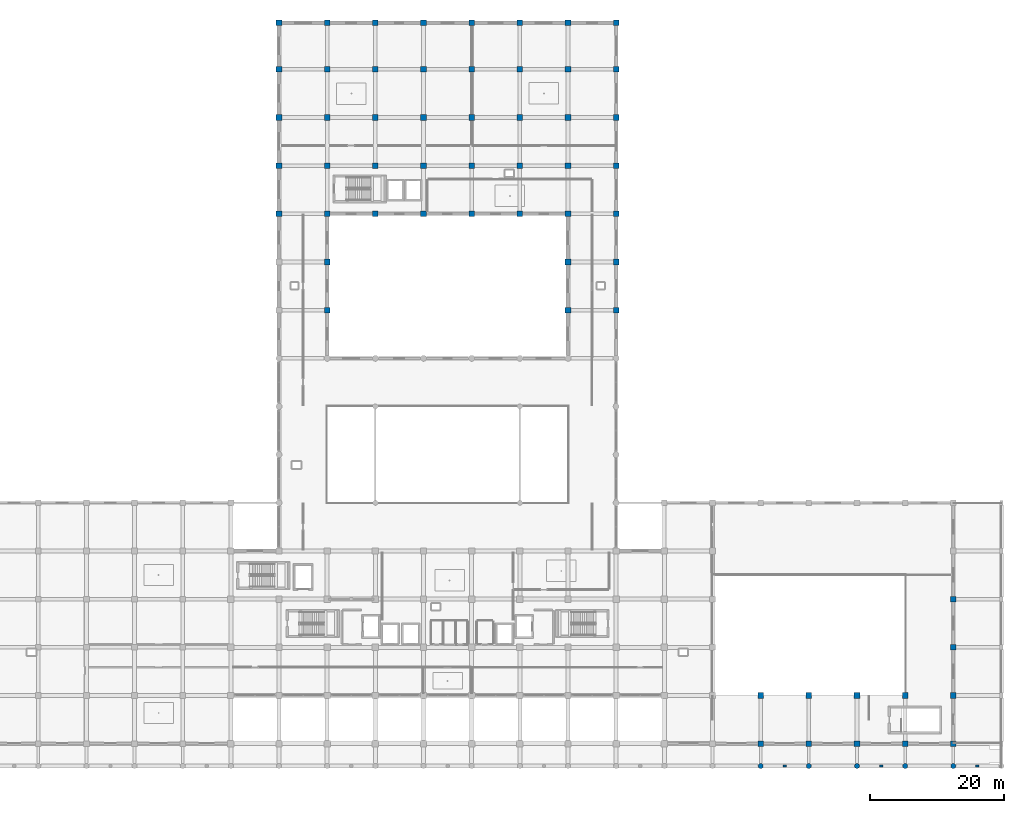
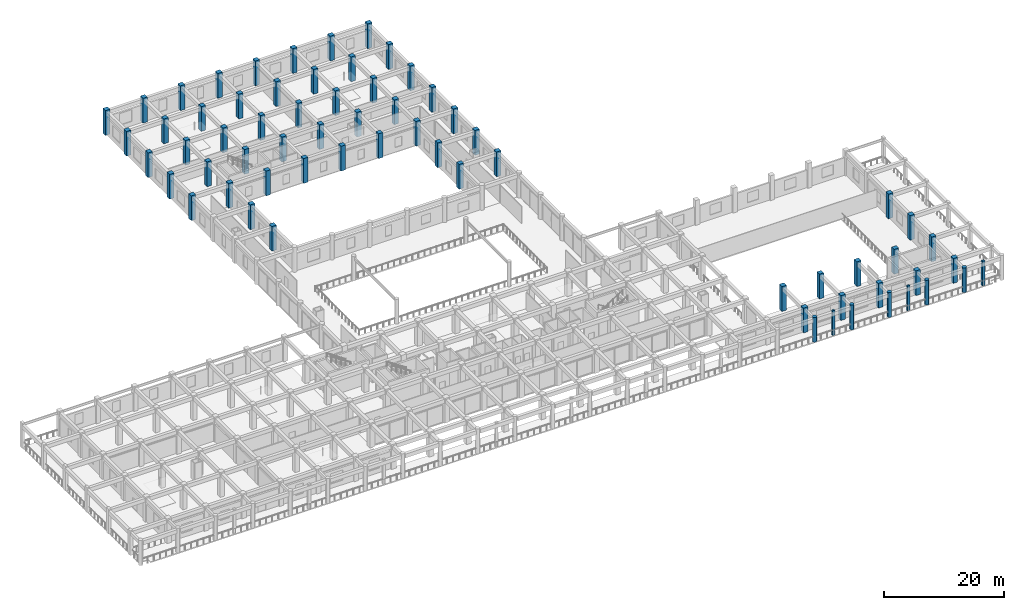
# One storey, part 2 of 54: 66 columns.
"""IFC4 building model written with IfcOpenShell, lengths in metres."""

from ifc_helpers import new_model, si_unit, direction, frame, origin, origin_2d, place, context, subcontext, project, spatial, rectangle, circle, extrude, material, material_profile, profile_set, type_object, element, save


model = new_model("IFC4")

# Units and contexts
model_context = context("Model", 3, precision=1e-05, world=origin(), true_north=direction((0.0, 1.0)))
body_context = subcontext(model_context, "Body", "Model", "MODEL_VIEW")
ifc_project = project(units=[si_unit("LENGTHUNIT", "METRE"), si_unit("AREAUNIT", "SQUARE_METRE"), si_unit("VOLUMEUNIT", "CUBIC_METRE"), si_unit("PLANEANGLEUNIT", "RADIAN"), si_unit("MASSUNIT", "GRAM", prefix="KILO")], contexts=[model_context])

# Site, building, storey
site_placement = place(None, origin())
site = spatial("IfcSite", under=ifc_project, at=site_placement, CompositionType="ELEMENT")
building_placement = place(site_placement, origin())
building = spatial("IfcBuilding", under=site, at=building_placement, Name="Kazehaya Institute of Natural Sciences", CompositionType="ELEMENT")
storey_placement = place(building_placement, frame((0.0, 0.0, 5.39990234375)))
storey = spatial("IfcBuildingStorey", under=building, at=storey_placement, Name="L01", CompositionType="ELEMENT", Elevation=5.39990234375)

# Columns
ifc_material_1 = material(Name="Concrete Fc36", Category="concrete")
ifc_material_profile_1 = material_profile(ifc_material_1, circle(Radius=0.375, at=origin_2d()), Name="RC-DIA750")
ifc_profile_set_1 = profile_set([ifc_material_profile_1], Name="Concrete Fc36")
column_type_1 = type_object("IfcColumnType", Name="COL-DIA750", PredefinedType="COLUMN", material=ifc_profile_set_1)
for number, where, z_axis, x_axis, name in (
    (1, (133.800048828125, 3.449951171875, 0.0), (0.0, 0.0, 1.0), (1.0, 0.0, 0.0), "L01 column COL-L01-0469"),
    (2, (141.0, 3.449951171875, 0.0), (0.0, 0.0, 1.0), (1.0, 0.0, 0.0), "L01 column COL-L01-0470"),
    (3, (148.199951171875, 3.449951171875, 0.0), (0.0, 0.0, 1.0), (1.0, 0.0, 0.0), "L01 column COL-L01-0471"),
    (4, (155.39990234375, 3.449951171875, 0.0), (0.0, 0.0, 1.0), (1.0, 0.0, 0.0), "L01 column COL-L01-0472"),
    (5, (162.60009765625, 3.449951171875, 0.0), (0.0, 0.0, 1.0), (1.0, 0.0, 0.0), "L01 column COL-L01-0473"),
):
    element("IfcColumn", number, at=place(storey_placement, frame(where, z_axis=z_axis, x_axis=x_axis)), inside=storey, type_object=column_type_1, Name=name, PredefinedType="COLUMN", context=body_context, shape_type="SweptSolid", body=[
        extrude(circle(Radius=0.375, at=origin_2d()), origin(), (0.0, 0.0, 1.0), 5.0400390625),
    ])
ifc_material_2 = material(Name="Concrete Fc42", Category="concrete")
ifc_material_profile_2 = material_profile(ifc_material_2, rectangle(XDim=0.85009765625, YDim=0.85009765625, at=origin_2d()), Name="RC-850x850")
ifc_profile_set_2 = profile_set([ifc_material_profile_2], Name="Concrete Fc42")
column_type_2 = type_object("IfcColumnType", Name="COL-RC850", PredefinedType="COLUMN", material=ifc_profile_set_2)
for number, where, z_axis, x_axis, name in (
    (6, (133.800048828125, 6.800048828125, 0.0), (0.0, 0.0, 1.0), (1.0, 0.0, 0.0), "L01 column COL-L01-0493"),
    (7, (141.0, 6.800048828125, 0.0), (0.0, 0.0, 1.0), (1.0, 0.0, 0.0), "L01 column COL-L01-0494"),
    (8, (148.199951171875, 6.800048828125, 0.0), (0.0, 0.0, 1.0), (1.0, 0.0, 0.0), "L01 column COL-L01-0495"),
    (9, (155.39990234375, 6.800048828125, 0.0), (0.0, 0.0, 1.0), (1.0, 0.0, 0.0), "L01 column COL-L01-0496"),
    (10, (162.60009765625, 6.800048828125, 0.0), (0.0, 0.0, 1.0), (1.0, 0.0, 0.0), "L01 column COL-L01-0497"),
    (11, (133.800048828125, 14.0, 0.0), (0.0, 0.0, 1.0), (1.0, 0.0, 0.0), "L01 column COL-L01-0517"),
    (12, (141.0, 14.0, 0.0), (0.0, 0.0, 1.0), (1.0, 0.0, 0.0), "L01 column COL-L01-0518"),
    (13, (148.199951171875, 14.0, 0.0), (0.0, 0.0, 1.0), (1.0, 0.0, 0.0), "L01 column COL-L01-0519"),
    (14, (155.39990234375, 14.0, 0.0), (0.0, 0.0, 1.0), (1.0, 0.0, 0.0), "L01 column COL-L01-0520"),
    (15, (162.60009765625, 14.0, 0.0), (0.0, 0.0, 1.0), (1.0, 0.0, 0.0), "L01 column COL-L01-0521"),
    (16, (162.60009765625, 21.199951171875, 0.0), (0.0, 0.0, 1.0), (1.0, 0.0, 0.0), "L01 column COL-L01-0541"),
    (17, (162.60009765625, 28.39990234375, 0.0), (0.0, 0.0, 1.0), (1.0, 0.0, 0.0), "L01 column COL-L01-0561"),
    (18, (69.0, 71.60009765625, 0.0), (0.0, 0.0, 1.0), (1.0, 0.0, 0.0), "L01 column COL-L01-0614"),
    (19, (105.0, 71.60009765625, 0.0), (0.0, 0.0, 1.0), (1.0, 0.0, 0.0), "L01 column COL-L01-0615"),
    (20, (112.199951171875, 71.60009765625, 0.0), (0.0, 0.0, 1.0), (1.0, 0.0, 0.0), "L01 column COL-L01-0616"),
    (21, (69.0, 78.800048828125, 0.0), (0.0, 0.0, 1.0), (1.0, 0.0, 0.0), "L01 column COL-L01-0618"),
    (22, (105.0, 78.800048828125, 0.0), (0.0, 0.0, 1.0), (1.0, 0.0, 0.0), "L01 column COL-L01-0619"),
    (23, (112.199951171875, 78.800048828125, 0.0), (0.0, 0.0, 1.0), (1.0, 0.0, 0.0), "L01 column COL-L01-0620"),
    (24, (61.800048828125, 86.0, 0.0), (0.0, 0.0, 1.0), (1.0, 0.0, 0.0), "L01 column COL-L01-0621"),
    (25, (69.0, 86.0, 0.0), (0.0, 0.0, 1.0), (1.0, 0.0, 0.0), "L01 column COL-L01-0622"),
    (26, (76.199951171875, 86.0, 0.0), (0.0, 0.0, 1.0), (1.0, 0.0, 0.0), "L01 column COL-L01-0623"),
    (27, (83.39990234375, 86.0, 0.0), (0.0, 0.0, 1.0), (1.0, 0.0, 0.0), "L01 column COL-L01-0624"),
    (28, (90.60009765625, 86.0, 0.0), (0.0, 0.0, 1.0), (1.0, 0.0, 0.0), "L01 column COL-L01-0625"),
    (29, (97.800048828125, 86.0, 0.0), (0.0, 0.0, 1.0), (1.0, 0.0, 0.0), "L01 column COL-L01-0626"),
    (30, (105.0, 86.0, 0.0), (0.0, 0.0, 1.0), (1.0, 0.0, 0.0), "L01 column COL-L01-0627"),
    (31, (112.199951171875, 86.0, 0.0), (0.0, 0.0, 1.0), (1.0, 0.0, 0.0), "L01 column COL-L01-0628"),
    (32, (61.800048828125, 93.199951171875, 0.0), (0.0, 0.0, 1.0), (1.0, 0.0, 0.0), "L01 column COL-L01-0629"),
    (33, (69.0, 93.199951171875, 0.0), (0.0, 0.0, 1.0), (1.0, 0.0, 0.0), "L01 column COL-L01-0630"),
    (34, (76.199951171875, 93.199951171875, 0.0), (0.0, 0.0, 1.0), (1.0, 0.0, 0.0), "L01 column COL-L01-0631"),
    (35, (83.39990234375, 93.199951171875, 0.0), (0.0, 0.0, 1.0), (1.0, 0.0, 0.0), "L01 column COL-L01-0632"),
    (36, (90.60009765625, 93.199951171875, 0.0), (0.0, 0.0, 1.0), (1.0, 0.0, 0.0), "L01 column COL-L01-0633"),
    (37, (97.800048828125, 93.199951171875, 0.0), (0.0, 0.0, 1.0), (1.0, 0.0, 0.0), "L01 column COL-L01-0634"),
    (38, (105.0, 93.199951171875, 0.0), (0.0, 0.0, 1.0), (1.0, 0.0, 0.0), "L01 column COL-L01-0635"),
    (39, (112.199951171875, 93.199951171875, 0.0), (0.0, 0.0, 1.0), (1.0, 0.0, 0.0), "L01 column COL-L01-0636"),
    (40, (61.800048828125, 100.39990234375, 0.0), (0.0, 0.0, 1.0), (1.0, 0.0, 0.0), "L01 column COL-L01-0637"),
    (41, (69.0, 100.39990234375, 0.0), (0.0, 0.0, 1.0), (1.0, 0.0, 0.0), "L01 column COL-L01-0638"),
    (42, (76.199951171875, 100.39990234375, 0.0), (0.0, 0.0, 1.0), (1.0, 0.0, 0.0), "L01 column COL-L01-0639"),
    (43, (83.39990234375, 100.39990234375, 0.0), (0.0, 0.0, 1.0), (1.0, 0.0, 0.0), "L01 column COL-L01-0640"),
    (44, (90.60009765625, 100.39990234375, 0.0), (0.0, 0.0, 1.0), (1.0, 0.0, 0.0), "L01 column COL-L01-0641"),
    (45, (97.800048828125, 100.39990234375, 0.0), (0.0, 0.0, 1.0), (1.0, 0.0, 0.0), "L01 column COL-L01-0642"),
    (46, (105.0, 100.39990234375, 0.0), (0.0, 0.0, 1.0), (1.0, 0.0, 0.0), "L01 column COL-L01-0643"),
    (47, (112.199951171875, 100.39990234375, 0.0), (0.0, 0.0, 1.0), (1.0, 0.0, 0.0), "L01 column COL-L01-0644"),
    (48, (61.800048828125, 107.60009765625, 0.0), (0.0, 0.0, 1.0), (1.0, 0.0, 0.0), "L01 column COL-L01-0645"),
    (49, (69.0, 107.60009765625, 0.0), (0.0, 0.0, 1.0), (1.0, 0.0, 0.0), "L01 column COL-L01-0646"),
    (50, (76.199951171875, 107.60009765625, 0.0), (0.0, 0.0, 1.0), (1.0, 0.0, 0.0), "L01 column COL-L01-0647"),
    (51, (83.39990234375, 107.60009765625, 0.0), (0.0, 0.0, 1.0), (1.0, 0.0, 0.0), "L01 column COL-L01-0648"),
    (52, (90.60009765625, 107.60009765625, 0.0), (0.0, 0.0, 1.0), (1.0, 0.0, 0.0), "L01 column COL-L01-0649"),
    (53, (97.800048828125, 107.60009765625, 0.0), (0.0, 0.0, 1.0), (1.0, 0.0, 0.0), "L01 column COL-L01-0650"),
    (54, (105.0, 107.60009765625, 0.0), (0.0, 0.0, 1.0), (1.0, 0.0, 0.0), "L01 column COL-L01-0651"),
    (55, (112.199951171875, 107.60009765625, 0.0), (0.0, 0.0, 1.0), (1.0, 0.0, 0.0), "L01 column COL-L01-0652"),
    (56, (61.800048828125, 114.550048828125, 0.0), (0.0, 0.0, 1.0), (1.0, 0.0, 0.0), "L01 column COL-L01-0653"),
    (57, (69.0, 114.550048828125, 0.0), (0.0, 0.0, 1.0), (1.0, 0.0, 0.0), "L01 column COL-L01-0654"),
    (58, (76.199951171875, 114.550048828125, 0.0), (0.0, 0.0, 1.0), (1.0, 0.0, 0.0), "L01 column COL-L01-0655"),
    (59, (83.39990234375, 114.550048828125, 0.0), (0.0, 0.0, 1.0), (1.0, 0.0, 0.0), "L01 column COL-L01-0656"),
    (60, (90.60009765625, 114.550048828125, 0.0), (0.0, 0.0, 1.0), (1.0, 0.0, 0.0), "L01 column COL-L01-0657"),
    (61, (97.800048828125, 114.550048828125, 0.0), (0.0, 0.0, 1.0), (1.0, 0.0, 0.0), "L01 column COL-L01-0658"),
    (62, (105.0, 114.550048828125, 0.0), (0.0, 0.0, 1.0), (1.0, 0.0, 0.0), "L01 column COL-L01-0659"),
    (63, (112.199951171875, 114.550048828125, 0.0), (0.0, 0.0, 1.0), (1.0, 0.0, 0.0), "L01 column COL-L01-0660"),
):
    element("IfcColumn", number, at=place(storey_placement, frame(where, z_axis=z_axis, x_axis=x_axis)), inside=storey, type_object=column_type_2, Name=name, PredefinedType="COLUMN", context=body_context, shape_type="SweptSolid", body=[
        extrude(rectangle(XDim=0.85009765625, YDim=0.85009765625, at=origin_2d()), origin(), (0.0, 0.0, 1.0), 5.0400390625),
    ])
ifc_material_3 = material(Name="Precast concrete Fc36", Category="concrete")
ifc_material_profile_3 = material_profile(ifc_material_3, rectangle(XDim=0.5, YDim=0.35009765625, at=origin_2d()), Name="RC-PIL-500x350")
ifc_profile_set_3 = profile_set([ifc_material_profile_3], Name="Precast concrete Fc36")
column_type_3 = type_object("IfcColumnType", Name="PIL-500x350", PredefinedType="PILASTER", material=ifc_profile_set_3)
for number, where, z_axis, x_axis, name in (
    (64, (137.39990234375, 3.449951171875, 0.0), (0.0, 0.0, 1.0), (1.0, 0.0, 0.0), "L01 Neoclassical colonnade pilaster PIL-L01-028"),
    (65, (151.800048828125, 3.449951171875, 0.0), (0.0, 0.0, 1.0), (1.0, 0.0, 0.0), "L01 Neoclassical colonnade pilaster PIL-L01-029"),
    (66, (166.199951171875, 3.449951171875, 0.0), (0.0, 0.0, 1.0), (1.0, 0.0, 0.0), "L01 Neoclassical colonnade pilaster PIL-L01-030"),
):
    element("IfcColumn", number, at=place(storey_placement, frame(where, z_axis=z_axis, x_axis=x_axis)), inside=storey, type_object=column_type_3, Name=name, PredefinedType="PILASTER", context=body_context, shape_type="SweptSolid", body=[
        extrude(rectangle(XDim=0.5, YDim=0.35009765625, at=origin_2d()), origin(), (0.0, 0.0, 1.0), 5.0400390625),
    ])

save(model, "model.ifc")
